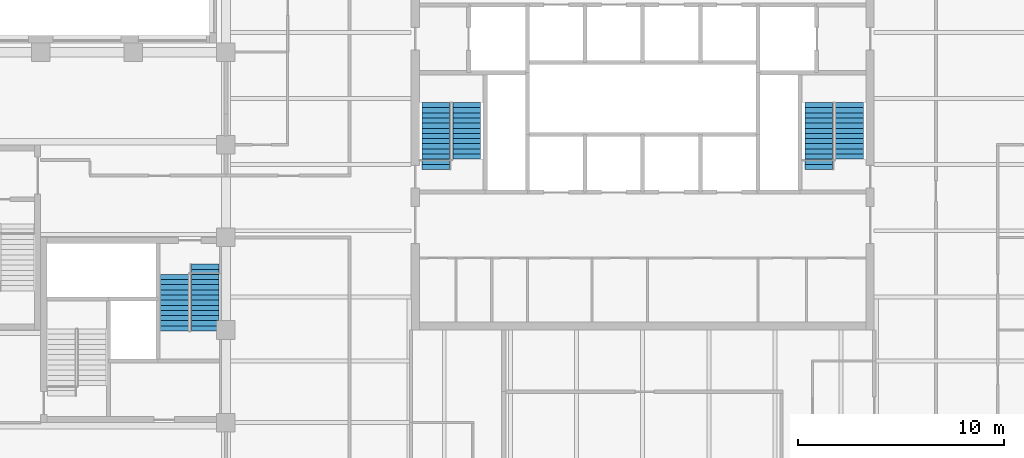
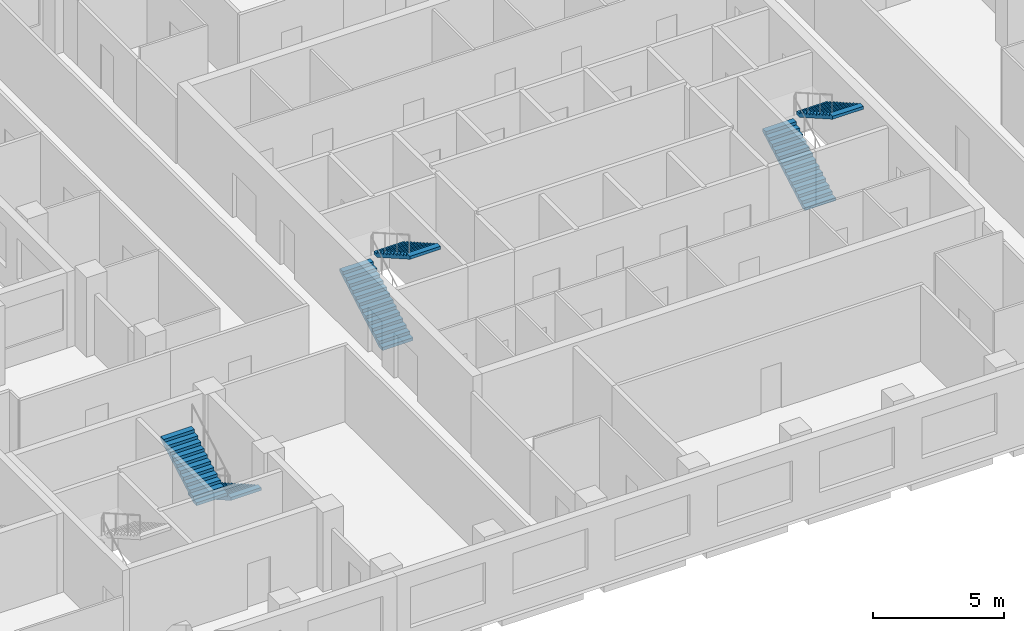
# One storey, part 9 of 10: 6 stair flights, 3 elements without a shape of their own.
"""IFC4 building model written with IfcOpenShell, lengths in metres."""

import ifcopenshell
import ifcopenshell.guid

model = None  # the IFC model being written
_history = None  # IfcOwnerHistory: only IFC2X3 demands one
_inside = {}  # id of a spatial element -> (the spatial element, [elements in it])
_under = {}  # id of a project, library or spatial element -> (it, [spatial elements below it])
_declared = {}  # id of a project -> (the project, [libraries it declares])
_typed = {}  # id of a type object -> (the type object, [elements of that type])
_made_of = {}  # id of a material, layer set ... -> (it, [elements and type objects made of it])


def new_model(schema):
    """Start an empty IFC model of exactly this schema.

    Asked for "IFC4X3", IfcOpenShell would pick the latest addendum, in which some entities
    have other attributes; the version numbers below select the first issue.
    IFC2X3 requires an IfcOwnerHistory on every rooted entity: one is made here for all.
    """
    global model, _history
    if schema == "IFC4X3":
        model = ifcopenshell.file(schema_version=(4, 3, 0, 0))
    else:
        model = ifcopenshell.file(schema=schema)
    _inside.clear()
    _under.clear()
    _declared.clear()
    _typed.clear()
    _made_of.clear()
    _history = None
    if model.schema == "IFC2X3":
        org = make("IfcOrganization", Name="unknown")
        user = make(
            "IfcPersonAndOrganization",
            ThePerson=make("IfcPerson", FamilyName="unknown"),
            TheOrganization=org,
        )
        app = make(
            "IfcApplication",
            ApplicationDeveloper=org,
            Version="unknown",
            ApplicationFullName="unknown",
            ApplicationIdentifier="unknown",
        )
        _history = make(
            "IfcOwnerHistory",
            OwningUser=user,
            OwningApplication=app,
            ChangeAction="ADDED",
            CreationDate=0,
        )
    return model


def make(cls, **values):
    """One entity of the class cls with the attributes given. An attribute that is None is left unset."""
    return model.create_entity(
        cls, **{name: value for name, value in values.items() if value is not None}
    )


def rooted(cls, **values):
    """An entity with a GlobalId (a new one), such as an element, a storey or a relation."""
    return make(cls, GlobalId=ifcopenshell.guid.new(), OwnerHistory=_history, **values)


def si_unit(unit_type, name, prefix=None):
    """IfcSIUnit, for example si_unit("LENGTHUNIT", "METRE", prefix="MILLI")."""
    return make("IfcSIUnit", UnitType=unit_type, Prefix=prefix, Name=name)


def assignment(units):
    """IfcUnitAssignment: the units of a project."""
    return None if units is None else make("IfcUnitAssignment", Units=units)


def point(xyz):
    """IfcCartesianPoint."""
    return None if xyz is None else make("IfcCartesianPoint", Coordinates=xyz)


def direction(xyz):
    """IfcDirection."""
    return None if xyz is None else make("IfcDirection", DirectionRatios=xyz)


def frame(location, z_axis=None, x_axis=None):
    """IfcAxis2Placement3D, a coordinate frame: its origin and axes. An axis left out is left unset."""
    return make(
        "IfcAxis2Placement3D",
        Location=point(location),
        Axis=direction(z_axis),
        RefDirection=direction(x_axis),
    )


def origin():
    """The frame at (0, 0, 0) with its axes left unset."""
    return frame((0.0, 0.0, 0.0))


def place(relative_to, where):
    """IfcLocalPlacement: puts the frame where relative to a parent placement (None: the world)."""
    return make(
        "IfcLocalPlacement", PlacementRelTo=relative_to, RelativePlacement=where
    )


def context(
    kind, dimensions, precision=None, world=None, true_north=None, identifier=None
):
    """IfcGeometricRepresentationContext, for example the 3D "Model" context."""
    return make(
        "IfcGeometricRepresentationContext",
        ContextIdentifier=identifier,
        ContextType=kind,
        CoordinateSpaceDimension=dimensions,
        Precision=precision,
        WorldCoordinateSystem=world,
        TrueNorth=true_north,
    )


def subcontext(parent, identifier, kind, view, scale=None):
    """IfcGeometricRepresentationSubContext, for example "Body" below "Model"."""
    return make(
        "IfcGeometricRepresentationSubContext",
        ContextIdentifier=identifier,
        ContextType=kind,
        ParentContext=parent,
        TargetScale=scale,
        TargetView=view,
    )


def project(units=None, contexts=None):
    """IfcProject with its units and contexts."""
    return rooted(
        "IfcProject",
        Name="project",
        RepresentationContexts=contexts,
        UnitsInContext=assignment(units),
    )


def spatial(cls, under=None, at=None, **own):
    """A site, building, storey or space (cls), placed at a placement, below another one or the project."""
    s = rooted(cls, ObjectPlacement=at, **own)
    if under is not None:
        _under.setdefault(under.id(), (under, []))[1].append(s)
    return s


def polyline(points):
    """IfcPolyline through the points."""
    return make("IfcPolyline", Points=[point(p) for p in points])


def outline(outer, holes=None, kind="AREA"):
    """IfcArbitraryClosedProfileDef: a profile drawn as a closed curve; with holes, ...WithVoids."""
    if holes is None:
        return make("IfcArbitraryClosedProfileDef", ProfileType=kind, OuterCurve=outer)
    return make(
        "IfcArbitraryProfileDefWithVoids",
        ProfileType=kind,
        OuterCurve=outer,
        InnerCurves=holes,
    )


def extrude(swept, where, along, depth):
    """IfcExtrudedAreaSolid: the profile swept, set in the frame where, extruded along a direction by depth."""
    return make(
        "IfcExtrudedAreaSolid",
        SweptArea=swept,
        Position=where,
        ExtrudedDirection=direction(along),
        Depth=depth,
    )


def shape(context_of_items, identifier, shape_type, items):
    """IfcShapeRepresentation: the items that make up one representation, for example the "Body"."""
    return make(
        "IfcShapeRepresentation",
        ContextOfItems=context_of_items,
        RepresentationIdentifier=identifier,
        RepresentationType=shape_type,
        Items=items,
    )


def material(Name=None, Category=None):
    """IfcMaterial."""
    return make("IfcMaterial", Name=Name, Category=Category)


def made_of(thing, what):
    """Note that an element or type object is made of a material, layer set ...; save() writes the relation."""
    if what is not None:
        _made_of.setdefault(what.id(), (what, []))[1].append(thing)
    return thing


def type_object(cls, material=None, **own):
    """A type object (cls), such as IfcWallType, which elements share."""
    return made_of(rooted(cls, **own), material)


def element(
    cls,
    number,
    at=None,
    inside=None,
    cuts=None,
    type_object=None,
    material=None,
    context=None,
    identifier="Body",
    shape_type=None,
    held_by="IfcProductDefinitionShape",
    body=None,
    shapes=None,
    **own,
):
    """One element of the class cls, such as IfcWall. Its Tag is "e" and its number.

    at: its placement. inside: the storey or other place that contains it. cuts: it is an
    opening in that element (IfcRelVoidsElement). A single representation is given by context,
    identifier, shape_type and body (its items); several are given by shapes. held_by: the class
    of the entity that holds the representations. save() writes the other relations.
    """
    e = rooted(cls, Tag="e%d" % number, ObjectPlacement=at, **own)
    if body is not None:
        shapes = [shape(context, identifier, shape_type, body)]
    if shapes is not None:
        e.Representation = make(held_by, Representations=shapes)
    if inside is not None:
        _inside.setdefault(inside.id(), (inside, []))[1].append(e)
    if cuts is not None:
        rooted(
            "IfcRelVoidsElement", RelatingBuildingElement=cuts, RelatedOpeningElement=e
        )
    if type_object is not None:
        _typed.setdefault(type_object.id(), (type_object, []))[1].append(e)
    return made_of(e, material)


def aggregate(whole, parts):
    """IfcRelAggregates: a whole, such as a stair, and the parts it consists of."""
    return rooted("IfcRelAggregates", RelatingObject=whole, RelatedObjects=parts)


def save(model, path):
    """Write the relations noted so far, then the file.

    IfcRelAggregates (storeys below a building ...), IfcRelContainedInSpatialStructure (elements
    in a storey), IfcRelDefinesByType, IfcRelAssociatesMaterial and IfcRelDeclares: one each for
    every whole, place, type object, material and project.
    """
    for whole, parts in _under.values():
        aggregate(whole, parts)
    for where, things in _inside.values():
        rooted(
            "IfcRelContainedInSpatialStructure",
            RelatedElements=things,
            RelatingStructure=where,
        )
    for kind, things in _typed.values():
        rooted("IfcRelDefinesByType", RelatedObjects=things, RelatingType=kind)
    for what, things in _made_of.values():
        rooted("IfcRelAssociatesMaterial", RelatedObjects=things, RelatingMaterial=what)
    for by, libraries in _declared.values():
        rooted("IfcRelDeclares", RelatingContext=by, RelatedDefinitions=libraries)
    model.write(path)


model = new_model("IFC4")

# Units and contexts
model_context = context("Model", 3, precision=1e-05, world=origin(), true_north=direction((0.0, 1.0)))
body_context = subcontext(model_context, "Body", "Model", "MODEL_VIEW")
ifc_project = project(units=[si_unit("LENGTHUNIT", "METRE"), si_unit("AREAUNIT", "SQUARE_METRE"), si_unit("VOLUMEUNIT", "CUBIC_METRE"), si_unit("PLANEANGLEUNIT", "RADIAN"), si_unit("MASSUNIT", "GRAM", prefix="KILO")], contexts=[model_context])

# Site, building, storey
site_placement = place(None, origin())
site = spatial("IfcSite", under=ifc_project, at=site_placement, CompositionType="ELEMENT")
building_placement = place(site_placement, origin())
building = spatial("IfcBuilding", under=site, at=building_placement, Name="Quoin Convention Tower", CompositionType="ELEMENT")
storey_placement = place(building_placement, frame((0.0, 0.0, 256.300048828125)))
storey = spatial("IfcBuildingStorey", under=building, at=storey_placement, Name="L67", CompositionType="ELEMENT", Elevation=256.300048828125)

# Stair, stair flights
ifc_material = material(Name="Concrete C40", Category="concrete")
stair_type = type_object("IfcStairType", Name="Exit stair two-flight 1350", PredefinedType="HALF_TURN_STAIR", material=ifc_material)
stair_1_placement = place(storey_placement, origin())
stair_1 = element("IfcStair", 1, at=stair_1_placement, inside=storey, type_object=stair_type, Name="SD1 L67", PredefinedType="HALF_TURN_STAIR")
stair_flight_type = type_object("IfcStairFlightType", Name="Stair flight 1350", PredefinedType="STRAIGHT", material=ifc_material)
stair_flight_1_placement = place(storey_placement, frame((46.199951171875, 57.300048828125, 0.0), z_axis=(0.0, 0.0, 1.0), x_axis=(0.0, 1.0, 0.0)))
stair_flight_1 = element("IfcStairFlight", 2, at=stair_flight_1_placement, type_object=stair_flight_type, Name="ST1 flight 1", NumberOfRisers=14, NumberOfTreads=13, PredefinedType="STRAIGHT", RiserHeight=0.142307692, TreadLength=0.25, context=body_context, shape_type="SweptSolid", body=[
    extrude(outline(polyline([(0.0, 0.0), (0.0, 0.142333984375), (0.25, 0.142333984375), (0.25, 0.28466796875), (0.5, 0.28466796875), (0.5, 0.427001953125), (0.75, 0.427001953125), (0.75, 0.5693359375), (1.0, 0.5693359375), (1.0, 0.71142578125), (1.25, 0.71142578125), (1.25, 0.853759765625), (1.5, 0.853759765625), (1.5, 0.99609375), (1.75, 0.99609375), (1.75, 1.138427734375), (2.0, 1.138427734375), (2.0, 1.28076171875), (2.25, 1.28076171875), (2.25, 1.423095703125), (2.5, 1.423095703125), (2.5, 1.5654296875), (2.75, 1.5654296875), (2.75, 1.707763671875), (3.0, 1.707763671875), (3.0, 1.85009765625), (3.25, 1.85009765625), (3.25, 1.9921875), (3.25, 1.711669921875), (0.242919921875, 0.0), (0.0, 0.0)])), frame((0.0, 0.675048828125, 0.0), z_axis=(0.0, -1.0, 0.0), x_axis=(1.0, 0.0, 0.0)), (0.0, 0.0, 1.0), 1.35009765625),
])
stair_flight_2_placement = place(storey_placement, frame((47.699951171875, 60.550048828125, 1.9921875), z_axis=(0.0, 0.0, 1.0), x_axis=(0.0, -1.0, 0.0)))
stair_flight_2 = element("IfcStairFlight", 3, at=stair_flight_2_placement, type_object=stair_flight_type, Name="ST1 flight 2", NumberOfRisers=12, NumberOfTreads=11, PredefinedType="STRAIGHT", RiserHeight=0.142307692, TreadLength=0.25, context=body_context, shape_type="SweptSolid", body=[
    extrude(outline(polyline([(0.0, 0.0), (0.0, 0.142333984375), (0.25, 0.142333984375), (0.25, 0.28466796875), (0.5, 0.28466796875), (0.5, 0.427001953125), (0.75, 0.427001953125), (0.75, 0.5693359375), (1.0, 0.5693359375), (1.0, 0.71142578125), (1.25, 0.71142578125), (1.25, 0.853759765625), (1.5, 0.853759765625), (1.5, 0.99609375), (1.75, 0.99609375), (1.75, 1.138427734375), (2.0, 1.138427734375), (2.0, 1.28076171875), (2.25, 1.28076171875), (2.25, 1.423095703125), (2.5, 1.423095703125), (2.5, 1.5654296875), (2.75, 1.5654296875), (2.75, 1.707763671875), (2.75, 1.42724609375), (0.242919921875, 0.0), (0.0, 0.0)])), frame((0.0, 0.675048828125, 0.0), z_axis=(0.0, -1.0, 0.0), x_axis=(1.0, 0.0, 0.0)), (0.0, 0.0, 1.0), 1.35009765625),
])
aggregate(stair_1, [stair_flight_1, stair_flight_2])

stair_2_placement = place(storey_placement, origin())
stair_2 = element("IfcStair", 4, at=stair_2_placement, inside=storey, type_object=stair_type, Name="SD2 L67", PredefinedType="HALF_TURN_STAIR")
stair_flight_3_placement = place(storey_placement, frame((64.800048828125, 57.300048828125, 0.0), z_axis=(0.0, 0.0, 1.0), x_axis=(0.0, 1.0, 0.0)))
stair_flight_3 = element("IfcStairFlight", 5, at=stair_flight_3_placement, type_object=stair_flight_type, Name="ST2 flight 1", NumberOfRisers=14, NumberOfTreads=13, PredefinedType="STRAIGHT", RiserHeight=0.142307692, TreadLength=0.25, context=body_context, shape_type="SweptSolid", body=[
    extrude(outline(polyline([(0.0, 0.0), (0.0, 0.142333984375), (0.25, 0.142333984375), (0.25, 0.28466796875), (0.5, 0.28466796875), (0.5, 0.427001953125), (0.75, 0.427001953125), (0.75, 0.5693359375), (1.0, 0.5693359375), (1.0, 0.71142578125), (1.25, 0.71142578125), (1.25, 0.853759765625), (1.5, 0.853759765625), (1.5, 0.99609375), (1.75, 0.99609375), (1.75, 1.138427734375), (2.0, 1.138427734375), (2.0, 1.28076171875), (2.25, 1.28076171875), (2.25, 1.423095703125), (2.5, 1.423095703125), (2.5, 1.5654296875), (2.75, 1.5654296875), (2.75, 1.707763671875), (3.0, 1.707763671875), (3.0, 1.85009765625), (3.25, 1.85009765625), (3.25, 1.9921875), (3.25, 1.711669921875), (0.242919921875, 0.0), (0.0, 0.0)])), frame((0.0, 0.675048828125, 0.0), z_axis=(0.0, -1.0, 0.0), x_axis=(1.0, 0.0, 0.0)), (0.0, 0.0, 1.0), 1.35009765625),
])
stair_flight_4_placement = place(storey_placement, frame((66.300048828125, 60.550048828125, 1.9921875), z_axis=(0.0, 0.0, 1.0), x_axis=(0.0, -1.0, 0.0)))
stair_flight_4 = element("IfcStairFlight", 6, at=stair_flight_4_placement, type_object=stair_flight_type, Name="ST2 flight 2", NumberOfRisers=12, NumberOfTreads=11, PredefinedType="STRAIGHT", RiserHeight=0.142307692, TreadLength=0.25, context=body_context, shape_type="SweptSolid", body=[
    extrude(outline(polyline([(0.0, 0.0), (0.0, 0.142333984375), (0.25, 0.142333984375), (0.25, 0.28466796875), (0.5, 0.28466796875), (0.5, 0.427001953125), (0.75, 0.427001953125), (0.75, 0.5693359375), (1.0, 0.5693359375), (1.0, 0.71142578125), (1.25, 0.71142578125), (1.25, 0.853759765625), (1.5, 0.853759765625), (1.5, 0.99609375), (1.75, 0.99609375), (1.75, 1.138427734375), (2.0, 1.138427734375), (2.0, 1.28076171875), (2.25, 1.28076171875), (2.25, 1.423095703125), (2.5, 1.423095703125), (2.5, 1.5654296875), (2.75, 1.5654296875), (2.75, 1.707763671875), (2.75, 1.42724609375), (0.242919921875, 0.0), (0.0, 0.0)])), frame((0.0, 0.675048828125, 0.0), z_axis=(0.0, -1.0, 0.0), x_axis=(1.0, 0.0, 0.0)), (0.0, 0.0, 1.0), 1.35009765625),
])
aggregate(stair_2, [stair_flight_3, stair_flight_4])

stair_3_placement = place(storey_placement, origin())
stair_3 = element("IfcStair", 7, at=stair_3_placement, inside=storey, type_object=stair_type, Name="SD4 L67", PredefinedType="HALF_TURN_STAIR")
stair_flight_5_placement = place(storey_placement, frame((35.0, 52.699951171875, 0.0), z_axis=(0.0, 0.0, 1.0), x_axis=(0.0, -1.0, 0.0)))
stair_flight_5 = element("IfcStairFlight", 8, at=stair_flight_5_placement, type_object=stair_flight_type, Name="ST4 flight 1", NumberOfRisers=14, NumberOfTreads=13, PredefinedType="STRAIGHT", RiserHeight=0.142307692, TreadLength=0.25, context=body_context, shape_type="SweptSolid", body=[
    extrude(outline(polyline([(0.0, 0.0), (0.0, 0.142333984375), (0.25, 0.142333984375), (0.25, 0.28466796875), (0.5, 0.28466796875), (0.5, 0.427001953125), (0.75, 0.427001953125), (0.75, 0.5693359375), (1.0, 0.5693359375), (1.0, 0.71142578125), (1.25, 0.71142578125), (1.25, 0.853759765625), (1.5, 0.853759765625), (1.5, 0.99609375), (1.75, 0.99609375), (1.75, 1.138427734375), (2.0, 1.138427734375), (2.0, 1.28076171875), (2.25, 1.28076171875), (2.25, 1.423095703125), (2.5, 1.423095703125), (2.5, 1.5654296875), (2.75, 1.5654296875), (2.75, 1.707763671875), (3.0, 1.707763671875), (3.0, 1.85009765625), (3.25, 1.85009765625), (3.25, 1.9921875), (3.25, 1.711669921875), (0.242919921875, 0.0), (0.0, 0.0)])), frame((0.0, 0.675048828125, 0.0), z_axis=(0.0, -1.0, 0.0), x_axis=(1.0, 0.0, 0.0)), (0.0, 0.0, 1.0), 1.35009765625),
])
stair_flight_6_placement = place(storey_placement, frame((33.5, 49.449951171875, 1.9921875), z_axis=(0.0, 0.0, 1.0), x_axis=(0.0, 1.0, 0.0)))
stair_flight_6 = element("IfcStairFlight", 9, at=stair_flight_6_placement, type_object=stair_flight_type, Name="ST4 flight 2", NumberOfRisers=12, NumberOfTreads=11, PredefinedType="STRAIGHT", RiserHeight=0.142307692, TreadLength=0.25, context=body_context, shape_type="SweptSolid", body=[
    extrude(outline(polyline([(0.0, 0.0), (0.0, 0.142333984375), (0.25, 0.142333984375), (0.25, 0.28466796875), (0.5, 0.28466796875), (0.5, 0.427001953125), (0.75, 0.427001953125), (0.75, 0.5693359375), (1.0, 0.5693359375), (1.0, 0.71142578125), (1.25, 0.71142578125), (1.25, 0.853759765625), (1.5, 0.853759765625), (1.5, 0.99609375), (1.75, 0.99609375), (1.75, 1.138427734375), (2.0, 1.138427734375), (2.0, 1.28076171875), (2.25, 1.28076171875), (2.25, 1.423095703125), (2.5, 1.423095703125), (2.5, 1.5654296875), (2.75, 1.5654296875), (2.75, 1.707763671875), (2.75, 1.42724609375), (0.242919921875, 0.0), (0.0, 0.0)])), frame((0.0, 0.675048828125, 0.0), z_axis=(0.0, -1.0, 0.0), x_axis=(1.0, 0.0, 0.0)), (0.0, 0.0, 1.0), 1.35009765625),
])
aggregate(stair_3, [stair_flight_5, stair_flight_6])

save(model, "model.ifc")
